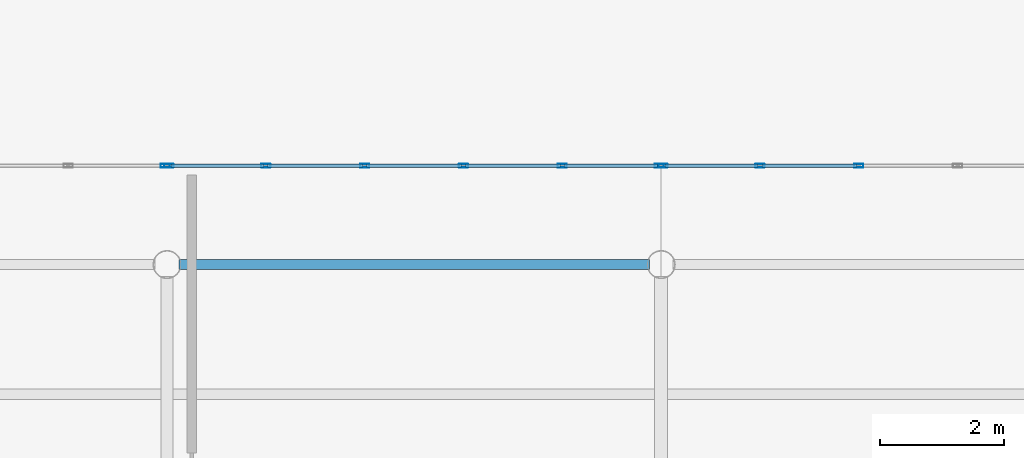
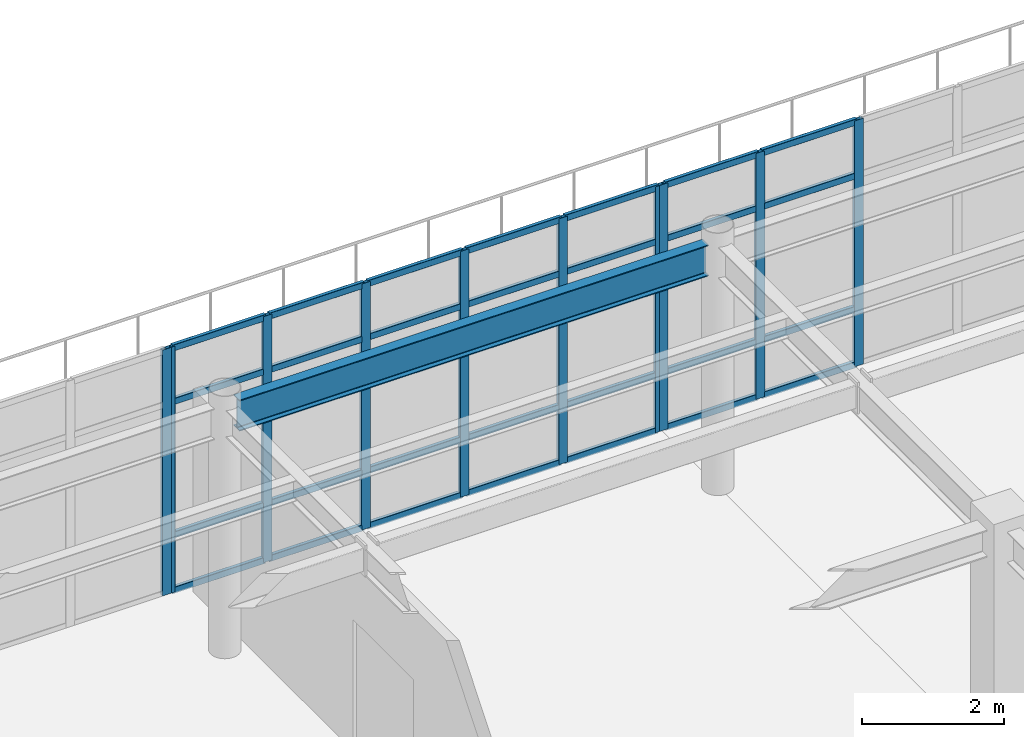
# One storey, part 25 of 93: 38 members, 1 beam, 3 elements without a shape of their own.
"""IFC4 building model written with IfcOpenShell, lengths in metres."""

from ifc_helpers import new_model, si_unit, direction, frame, origin, origin_2d, place, context, subcontext, project, spatial, hollow_rectangle, i_section, extrude, material, material_profile, profile_set, type_object, element, aggregate, save


model = new_model("IFC4")

# Units and contexts
model_context = context("Model", 3, precision=1e-05, world=origin(), true_north=direction((0.0, 1.0)))
body_context = subcontext(model_context, "Body", "Model", "MODEL_VIEW")
ifc_project = project(units=[si_unit("LENGTHUNIT", "METRE"), si_unit("AREAUNIT", "SQUARE_METRE"), si_unit("VOLUMEUNIT", "CUBIC_METRE"), si_unit("PLANEANGLEUNIT", "RADIAN"), si_unit("MASSUNIT", "GRAM", prefix="KILO")], contexts=[model_context])

# Site, building, storey
site_placement = place(None, origin())
site = spatial("IfcSite", under=ifc_project, at=site_placement, CompositionType="ELEMENT")
building_placement = place(site_placement, origin())
building = spatial("IfcBuilding", under=site, at=building_placement, Name="Solmirada Galleria", CompositionType="ELEMENT")
storey_placement = place(building_placement, frame((0.0, 0.0, 14.89990234375)))
storey = spatial("IfcBuildingStorey", under=building, at=storey_placement, Name="L03", CompositionType="ELEMENT", Elevation=14.89990234375)

# Beam
ifc_material_1 = material(Name="Steel S355 / ASTM A992 Grade 50", Category="steel")
ifc_material_profile_1 = material_profile(ifc_material_1, i_section(OverallWidth=0.1669921875, OverallDepth=0.534912109375, WebThickness=0.01025390625, FlangeThickness=0.0166015625, FilletRadius=0.013916015625, at=origin_2d()), Name="W21X57")
ifc_profile_set_1 = profile_set([ifc_material_profile_1], Name="Steel S355 / ASTM A992 Grade 50")
beam_type = type_object("IfcBeamType", Name="BM-GIRD-W21C", PredefinedType="BEAM", material=ifc_profile_set_1)
beam_placement = place(storey_placement, frame((104.19189453125, 32.0, 3.99267578125), z_axis=(1.0, 0.0, 0.0), x_axis=(0.0, 1.0, 0.0)))
element("IfcBeam", 1, at=beam_placement, inside=storey, type_object=beam_type, Name="Primary beam L04 X(104..112, 32)", PredefinedType="BEAM", context=body_context, shape_type="SweptSolid", body=[
    extrude(i_section(OverallWidth=0.1669921875, OverallDepth=0.534912109375, WebThickness=0.01025390625, FlangeThickness=0.0166015625, FilletRadius=0.013916015625, at=origin_2d()), origin(), (0.0, 0.0, 1.0), 7.6162109375),
])

# Curtain wall, member
ifc_material_2 = material(Name="Impact-resistant low-E double glazing", Category="glass")
curtain_wall_type = type_object("IfcCurtainWallType", Name="CW-FZ5-L03-B5-L080", PredefinedType="NOTDEFINED", material=ifc_material_2)
curtain_wall_1_placement = place(storey_placement, origin())
curtain_wall_1 = element("IfcCurtainWall", 2, at=curtain_wall_1_placement, inside=storey, type_object=curtain_wall_type, Name="Terrace and arcade storefront CW-L03-136", PredefinedType="NOTDEFINED")
ifc_material_3 = material(Name="Anodised aluminium framing", Category="aluminium")
ifc_material_profile_2 = material_profile(ifc_material_3, hollow_rectangle(XDim=0.06005859375, YDim=0.14990234375, WallThickness=0.00341796875, InnerFilletRadius=0.00341796875, OuterFilletRadius=0.007080078125, at=origin_2d()), Name="ALU-MULL-150X60")
ifc_profile_set_2 = profile_set([ifc_material_profile_2], Name="Anodised aluminium framing")
member_type_1 = type_object("IfcMemberType", Name="CW-MULL-150", PredefinedType="MULLION", material=ifc_profile_set_2)
member_1_placement = place(storey_placement, frame((103.969970703125, 33.60009765625, 0.0), z_axis=(0.0, 0.0, 1.0), x_axis=(0.0, 1.0, 0.0)))
member_1 = element("IfcMember", 3, at=member_1_placement, type_object=member_type_1, Name="CW29 mullion 6", PredefinedType="MULLION", context=body_context, shape_type="SweptSolid", body=[
    extrude(hollow_rectangle(XDim=0.06005859375, YDim=0.14990234375, WallThickness=0.00341796875, InnerFilletRadius=0.00341796875, OuterFilletRadius=0.007080078125, at=origin_2d()), origin(), (0.0, 0.0, 1.0), 4.22021484375),
])
aggregate(curtain_wall_1, [member_1])

# Curtain wall, members
curtain_wall_2_placement = place(storey_placement, origin())
curtain_wall_2 = element("IfcCurtainWall", 4, at=curtain_wall_2_placement, inside=storey, type_object=curtain_wall_type, Name="Terrace and arcade storefront CW-L03-137", PredefinedType="NOTDEFINED")
member_2_placement = place(storey_placement, frame((104.030029296875, 33.60009765625, 0.0), z_axis=(0.0, 0.0, 1.0), x_axis=(0.0, 1.0, 0.0)))
member_2 = element("IfcMember", 5, at=member_2_placement, type_object=member_type_1, Name="CW29 mullion 1", PredefinedType="MULLION", context=body_context, shape_type="SweptSolid", body=[
    extrude(hollow_rectangle(XDim=0.06005859375, YDim=0.14990234375, WallThickness=0.00341796875, InnerFilletRadius=0.00341796875, OuterFilletRadius=0.007080078125, at=origin_2d()), origin(), (0.0, 0.0, 1.0), 4.22021484375),
])
member_3_placement = place(storey_placement, frame((105.60009765625, 33.60009765625, 0.0), z_axis=(0.0, 0.0, 1.0), x_axis=(0.0, 1.0, 0.0)))
member_3 = element("IfcMember", 6, at=member_3_placement, type_object=member_type_1, Name="CW29 mullion 2", PredefinedType="MULLION", context=body_context, shape_type="SweptSolid", body=[
    extrude(hollow_rectangle(XDim=0.06005859375, YDim=0.14990234375, WallThickness=0.00341796875, InnerFilletRadius=0.00341796875, OuterFilletRadius=0.007080078125, at=origin_2d()), origin(), (0.0, 0.0, 1.0), 4.22021484375),
])
member_4_placement = place(storey_placement, frame((107.199951171875, 33.60009765625, 0.0), z_axis=(0.0, 0.0, 1.0), x_axis=(0.0, 1.0, 0.0)))
member_4 = element("IfcMember", 7, at=member_4_placement, type_object=member_type_1, Name="CW29 mullion 3", PredefinedType="MULLION", context=body_context, shape_type="SweptSolid", body=[
    extrude(hollow_rectangle(XDim=0.06005859375, YDim=0.14990234375, WallThickness=0.00341796875, InnerFilletRadius=0.00341796875, OuterFilletRadius=0.007080078125, at=origin_2d()), origin(), (0.0, 0.0, 1.0), 4.22021484375),
])
member_5_placement = place(storey_placement, frame((108.800048828125, 33.60009765625, 0.0), z_axis=(0.0, 0.0, 1.0), x_axis=(0.0, 1.0, 0.0)))
member_5 = element("IfcMember", 8, at=member_5_placement, type_object=member_type_1, Name="CW29 mullion 4", PredefinedType="MULLION", context=body_context, shape_type="SweptSolid", body=[
    extrude(hollow_rectangle(XDim=0.06005859375, YDim=0.14990234375, WallThickness=0.00341796875, InnerFilletRadius=0.00341796875, OuterFilletRadius=0.007080078125, at=origin_2d()), origin(), (0.0, 0.0, 1.0), 4.22021484375),
])
member_6_placement = place(storey_placement, frame((110.39990234375, 33.60009765625, 0.0), z_axis=(0.0, 0.0, 1.0), x_axis=(0.0, 1.0, 0.0)))
member_6 = element("IfcMember", 9, at=member_6_placement, type_object=member_type_1, Name="CW29 mullion 5", PredefinedType="MULLION", context=body_context, shape_type="SweptSolid", body=[
    extrude(hollow_rectangle(XDim=0.06005859375, YDim=0.14990234375, WallThickness=0.00341796875, InnerFilletRadius=0.00341796875, OuterFilletRadius=0.007080078125, at=origin_2d()), origin(), (0.0, 0.0, 1.0), 4.22021484375),
])
member_7_placement = place(storey_placement, frame((111.969970703125, 33.60009765625, 0.0), z_axis=(0.0, 0.0, 1.0), x_axis=(0.0, 1.0, 0.0)))
member_7 = element("IfcMember", 10, at=member_7_placement, type_object=member_type_1, Name="CW29 mullion 6", PredefinedType="MULLION", context=body_context, shape_type="SweptSolid", body=[
    extrude(hollow_rectangle(XDim=0.06005859375, YDim=0.14990234375, WallThickness=0.00341796875, InnerFilletRadius=0.00341796875, OuterFilletRadius=0.007080078125, at=origin_2d()), origin(), (0.0, 0.0, 1.0), 4.22021484375),
])

curtain_wall_3_placement = place(storey_placement, origin())
curtain_wall_3 = element("IfcCurtainWall", 11, at=curtain_wall_3_placement, inside=storey, type_object=curtain_wall_type, Name="Terrace and arcade storefront CW-L03-138", PredefinedType="NOTDEFINED")
member_8_placement = place(storey_placement, frame((112.030029296875, 33.60009765625, 0.0), z_axis=(0.0, 0.0, 1.0), x_axis=(0.0, 1.0, 0.0)))
member_8 = element("IfcMember", 12, at=member_8_placement, type_object=member_type_1, Name="CW29 mullion 1", PredefinedType="MULLION", context=body_context, shape_type="SweptSolid", body=[
    extrude(hollow_rectangle(XDim=0.06005859375, YDim=0.14990234375, WallThickness=0.00341796875, InnerFilletRadius=0.00341796875, OuterFilletRadius=0.007080078125, at=origin_2d()), origin(), (0.0, 0.0, 1.0), 4.22021484375),
])
member_9_placement = place(storey_placement, frame((113.60009765625, 33.60009765625, 0.0), z_axis=(0.0, 0.0, 1.0), x_axis=(0.0, 1.0, 0.0)))
member_9 = element("IfcMember", 13, at=member_9_placement, type_object=member_type_1, Name="CW29 mullion 2", PredefinedType="MULLION", context=body_context, shape_type="SweptSolid", body=[
    extrude(hollow_rectangle(XDim=0.06005859375, YDim=0.14990234375, WallThickness=0.00341796875, InnerFilletRadius=0.00341796875, OuterFilletRadius=0.007080078125, at=origin_2d()), origin(), (0.0, 0.0, 1.0), 4.22021484375),
])
member_10_placement = place(storey_placement, frame((115.199951171875, 33.60009765625, 0.0), z_axis=(0.0, 0.0, 1.0), x_axis=(0.0, 1.0, 0.0)))
member_10 = element("IfcMember", 14, at=member_10_placement, type_object=member_type_1, Name="CW29 mullion 3", PredefinedType="MULLION", context=body_context, shape_type="SweptSolid", body=[
    extrude(hollow_rectangle(XDim=0.06005859375, YDim=0.14990234375, WallThickness=0.00341796875, InnerFilletRadius=0.00341796875, OuterFilletRadius=0.007080078125, at=origin_2d()), origin(), (0.0, 0.0, 1.0), 4.22021484375),
])

# Member
ifc_material_profile_3 = material_profile(ifc_material_3, hollow_rectangle(XDim=0.06005859375, YDim=0.110107421875, WallThickness=0.003173828125, InnerFilletRadius=0.003173828125, OuterFilletRadius=0.00634765625, at=origin_2d()), Name="ALU-TRAN-110X60")
ifc_profile_set_3 = profile_set([ifc_material_profile_3], Name="Anodised aluminium framing")
member_type_2 = type_object("IfcMemberType", Name="CW-TRAN-110", PredefinedType="USERDEFINED", material=ifc_profile_set_3)
member_11_placement = place(storey_placement, frame((104.06005859375, 33.60009765625, 0.030029296875), z_axis=(1.0, 0.0, 0.0), x_axis=(0.0, 1.0, 0.0)))
member_11 = element("IfcMember", 15, at=member_11_placement, type_object=member_type_2, Name="CW29 transom 1.1", ObjectType="TRANSOM", PredefinedType="USERDEFINED", context=body_context, shape_type="SweptSolid", body=[
    extrude(hollow_rectangle(XDim=0.06005859375, YDim=0.110107421875, WallThickness=0.003173828125, InnerFilletRadius=0.003173828125, OuterFilletRadius=0.00634765625, at=origin_2d()), origin(), (0.0, 0.0, 1.0), 1.510009765625),
])

member_12_placement = place(storey_placement, frame((104.06005859375, 33.60009765625, 0.97998046875), z_axis=(1.0, 0.0, 0.0), x_axis=(0.0, 1.0, 0.0)))
member_12 = element("IfcMember", 16, at=member_12_placement, type_object=member_type_2, Name="CW29 transom 1.2", ObjectType="TRANSOM", PredefinedType="USERDEFINED", context=body_context, shape_type="SweptSolid", body=[
    extrude(hollow_rectangle(XDim=0.06005859375, YDim=0.110107421875, WallThickness=0.003173828125, InnerFilletRadius=0.003173828125, OuterFilletRadius=0.00634765625, at=origin_2d()), origin(), (0.0, 0.0, 1.0), 1.510009765625),
])

member_13_placement = place(storey_placement, frame((104.06005859375, 33.60009765625, 3.27001953125), z_axis=(1.0, 0.0, 0.0), x_axis=(0.0, 1.0, 0.0)))
member_13 = element("IfcMember", 17, at=member_13_placement, type_object=member_type_2, Name="CW29 transom 1.3", ObjectType="TRANSOM", PredefinedType="USERDEFINED", context=body_context, shape_type="SweptSolid", body=[
    extrude(hollow_rectangle(XDim=0.06005859375, YDim=0.110107421875, WallThickness=0.003173828125, InnerFilletRadius=0.003173828125, OuterFilletRadius=0.00634765625, at=origin_2d()), origin(), (0.0, 0.0, 1.0), 1.510009765625),
])

member_14_placement = place(storey_placement, frame((104.06005859375, 33.60009765625, 4.190185546875), z_axis=(1.0, 0.0, 0.0), x_axis=(0.0, 1.0, 0.0)))
member_14 = element("IfcMember", 18, at=member_14_placement, type_object=member_type_2, Name="CW29 transom 1.4", ObjectType="TRANSOM", PredefinedType="USERDEFINED", context=body_context, shape_type="SweptSolid", body=[
    extrude(hollow_rectangle(XDim=0.06005859375, YDim=0.110107421875, WallThickness=0.003173828125, InnerFilletRadius=0.003173828125, OuterFilletRadius=0.00634765625, at=origin_2d()), origin(), (0.0, 0.0, 1.0), 1.510009765625),
])

member_15_placement = place(storey_placement, frame((105.6298828125, 33.60009765625, 0.030029296875), z_axis=(1.0, 0.0, 0.0), x_axis=(0.0, 1.0, 0.0)))
member_15 = element("IfcMember", 19, at=member_15_placement, type_object=member_type_2, Name="CW29 transom 2.1", ObjectType="TRANSOM", PredefinedType="USERDEFINED", context=body_context, shape_type="SweptSolid", body=[
    extrude(hollow_rectangle(XDim=0.06005859375, YDim=0.110107421875, WallThickness=0.003173828125, InnerFilletRadius=0.003173828125, OuterFilletRadius=0.00634765625, at=origin_2d()), origin(), (0.0, 0.0, 1.0), 1.5400390625),
])

member_16_placement = place(storey_placement, frame((105.6298828125, 33.60009765625, 0.97998046875), z_axis=(1.0, 0.0, 0.0), x_axis=(0.0, 1.0, 0.0)))
member_16 = element("IfcMember", 20, at=member_16_placement, type_object=member_type_2, Name="CW29 transom 2.2", ObjectType="TRANSOM", PredefinedType="USERDEFINED", context=body_context, shape_type="SweptSolid", body=[
    extrude(hollow_rectangle(XDim=0.06005859375, YDim=0.110107421875, WallThickness=0.003173828125, InnerFilletRadius=0.003173828125, OuterFilletRadius=0.00634765625, at=origin_2d()), origin(), (0.0, 0.0, 1.0), 1.5400390625),
])

member_17_placement = place(storey_placement, frame((105.6298828125, 33.60009765625, 3.27001953125), z_axis=(1.0, 0.0, 0.0), x_axis=(0.0, 1.0, 0.0)))
member_17 = element("IfcMember", 21, at=member_17_placement, type_object=member_type_2, Name="CW29 transom 2.3", ObjectType="TRANSOM", PredefinedType="USERDEFINED", context=body_context, shape_type="SweptSolid", body=[
    extrude(hollow_rectangle(XDim=0.06005859375, YDim=0.110107421875, WallThickness=0.003173828125, InnerFilletRadius=0.003173828125, OuterFilletRadius=0.00634765625, at=origin_2d()), origin(), (0.0, 0.0, 1.0), 1.5400390625),
])

member_18_placement = place(storey_placement, frame((105.6298828125, 33.60009765625, 4.190185546875), z_axis=(1.0, 0.0, 0.0), x_axis=(0.0, 1.0, 0.0)))
member_18 = element("IfcMember", 22, at=member_18_placement, type_object=member_type_2, Name="CW29 transom 2.4", ObjectType="TRANSOM", PredefinedType="USERDEFINED", context=body_context, shape_type="SweptSolid", body=[
    extrude(hollow_rectangle(XDim=0.06005859375, YDim=0.110107421875, WallThickness=0.003173828125, InnerFilletRadius=0.003173828125, OuterFilletRadius=0.00634765625, at=origin_2d()), origin(), (0.0, 0.0, 1.0), 1.5400390625),
])

member_19_placement = place(storey_placement, frame((107.22998046875, 33.60009765625, 0.030029296875), z_axis=(1.0, 0.0, 0.0), x_axis=(0.0, 1.0, 0.0)))
member_19 = element("IfcMember", 23, at=member_19_placement, type_object=member_type_2, Name="CW29 transom 3.1", ObjectType="TRANSOM", PredefinedType="USERDEFINED", context=body_context, shape_type="SweptSolid", body=[
    extrude(hollow_rectangle(XDim=0.06005859375, YDim=0.110107421875, WallThickness=0.003173828125, InnerFilletRadius=0.003173828125, OuterFilletRadius=0.00634765625, at=origin_2d()), origin(), (0.0, 0.0, 1.0), 1.5400390625),
])

member_20_placement = place(storey_placement, frame((107.22998046875, 33.60009765625, 0.97998046875), z_axis=(1.0, 0.0, 0.0), x_axis=(0.0, 1.0, 0.0)))
member_20 = element("IfcMember", 24, at=member_20_placement, type_object=member_type_2, Name="CW29 transom 3.2", ObjectType="TRANSOM", PredefinedType="USERDEFINED", context=body_context, shape_type="SweptSolid", body=[
    extrude(hollow_rectangle(XDim=0.06005859375, YDim=0.110107421875, WallThickness=0.003173828125, InnerFilletRadius=0.003173828125, OuterFilletRadius=0.00634765625, at=origin_2d()), origin(), (0.0, 0.0, 1.0), 1.5400390625),
])

member_21_placement = place(storey_placement, frame((107.22998046875, 33.60009765625, 3.27001953125), z_axis=(1.0, 0.0, 0.0), x_axis=(0.0, 1.0, 0.0)))
member_21 = element("IfcMember", 25, at=member_21_placement, type_object=member_type_2, Name="CW29 transom 3.3", ObjectType="TRANSOM", PredefinedType="USERDEFINED", context=body_context, shape_type="SweptSolid", body=[
    extrude(hollow_rectangle(XDim=0.06005859375, YDim=0.110107421875, WallThickness=0.003173828125, InnerFilletRadius=0.003173828125, OuterFilletRadius=0.00634765625, at=origin_2d()), origin(), (0.0, 0.0, 1.0), 1.5400390625),
])

member_22_placement = place(storey_placement, frame((107.22998046875, 33.60009765625, 4.190185546875), z_axis=(1.0, 0.0, 0.0), x_axis=(0.0, 1.0, 0.0)))
member_22 = element("IfcMember", 26, at=member_22_placement, type_object=member_type_2, Name="CW29 transom 3.4", ObjectType="TRANSOM", PredefinedType="USERDEFINED", context=body_context, shape_type="SweptSolid", body=[
    extrude(hollow_rectangle(XDim=0.06005859375, YDim=0.110107421875, WallThickness=0.003173828125, InnerFilletRadius=0.003173828125, OuterFilletRadius=0.00634765625, at=origin_2d()), origin(), (0.0, 0.0, 1.0), 1.5400390625),
])

member_23_placement = place(storey_placement, frame((108.830078125, 33.60009765625, 0.030029296875), z_axis=(1.0, 0.0, 0.0), x_axis=(0.0, 1.0, 0.0)))
member_23 = element("IfcMember", 27, at=member_23_placement, type_object=member_type_2, Name="CW29 transom 4.1", ObjectType="TRANSOM", PredefinedType="USERDEFINED", context=body_context, shape_type="SweptSolid", body=[
    extrude(hollow_rectangle(XDim=0.06005859375, YDim=0.110107421875, WallThickness=0.003173828125, InnerFilletRadius=0.003173828125, OuterFilletRadius=0.00634765625, at=origin_2d()), origin(), (0.0, 0.0, 1.0), 1.5400390625),
])

member_24_placement = place(storey_placement, frame((108.830078125, 33.60009765625, 0.97998046875), z_axis=(1.0, 0.0, 0.0), x_axis=(0.0, 1.0, 0.0)))
member_24 = element("IfcMember", 28, at=member_24_placement, type_object=member_type_2, Name="CW29 transom 4.2", ObjectType="TRANSOM", PredefinedType="USERDEFINED", context=body_context, shape_type="SweptSolid", body=[
    extrude(hollow_rectangle(XDim=0.06005859375, YDim=0.110107421875, WallThickness=0.003173828125, InnerFilletRadius=0.003173828125, OuterFilletRadius=0.00634765625, at=origin_2d()), origin(), (0.0, 0.0, 1.0), 1.5400390625),
])

member_25_placement = place(storey_placement, frame((108.830078125, 33.60009765625, 3.27001953125), z_axis=(1.0, 0.0, 0.0), x_axis=(0.0, 1.0, 0.0)))
member_25 = element("IfcMember", 29, at=member_25_placement, type_object=member_type_2, Name="CW29 transom 4.3", ObjectType="TRANSOM", PredefinedType="USERDEFINED", context=body_context, shape_type="SweptSolid", body=[
    extrude(hollow_rectangle(XDim=0.06005859375, YDim=0.110107421875, WallThickness=0.003173828125, InnerFilletRadius=0.003173828125, OuterFilletRadius=0.00634765625, at=origin_2d()), origin(), (0.0, 0.0, 1.0), 1.5400390625),
])

member_26_placement = place(storey_placement, frame((108.830078125, 33.60009765625, 4.190185546875), z_axis=(1.0, 0.0, 0.0), x_axis=(0.0, 1.0, 0.0)))
member_26 = element("IfcMember", 30, at=member_26_placement, type_object=member_type_2, Name="CW29 transom 4.4", ObjectType="TRANSOM", PredefinedType="USERDEFINED", context=body_context, shape_type="SweptSolid", body=[
    extrude(hollow_rectangle(XDim=0.06005859375, YDim=0.110107421875, WallThickness=0.003173828125, InnerFilletRadius=0.003173828125, OuterFilletRadius=0.00634765625, at=origin_2d()), origin(), (0.0, 0.0, 1.0), 1.5400390625),
])

member_27_placement = place(storey_placement, frame((110.429931640625, 33.60009765625, 0.030029296875), z_axis=(1.0, 0.0, 0.0), x_axis=(0.0, 1.0, 0.0)))
member_27 = element("IfcMember", 31, at=member_27_placement, type_object=member_type_2, Name="CW29 transom 5.1", ObjectType="TRANSOM", PredefinedType="USERDEFINED", context=body_context, shape_type="SweptSolid", body=[
    extrude(hollow_rectangle(XDim=0.06005859375, YDim=0.110107421875, WallThickness=0.003173828125, InnerFilletRadius=0.003173828125, OuterFilletRadius=0.00634765625, at=origin_2d()), origin(), (0.0, 0.0, 1.0), 1.510009765625),
])

member_28_placement = place(storey_placement, frame((110.429931640625, 33.60009765625, 0.97998046875), z_axis=(1.0, 0.0, 0.0), x_axis=(0.0, 1.0, 0.0)))
member_28 = element("IfcMember", 32, at=member_28_placement, type_object=member_type_2, Name="CW29 transom 5.2", ObjectType="TRANSOM", PredefinedType="USERDEFINED", context=body_context, shape_type="SweptSolid", body=[
    extrude(hollow_rectangle(XDim=0.06005859375, YDim=0.110107421875, WallThickness=0.003173828125, InnerFilletRadius=0.003173828125, OuterFilletRadius=0.00634765625, at=origin_2d()), origin(), (0.0, 0.0, 1.0), 1.510009765625),
])

member_29_placement = place(storey_placement, frame((110.429931640625, 33.60009765625, 3.27001953125), z_axis=(1.0, 0.0, 0.0), x_axis=(0.0, 1.0, 0.0)))
member_29 = element("IfcMember", 33, at=member_29_placement, type_object=member_type_2, Name="CW29 transom 5.3", ObjectType="TRANSOM", PredefinedType="USERDEFINED", context=body_context, shape_type="SweptSolid", body=[
    extrude(hollow_rectangle(XDim=0.06005859375, YDim=0.110107421875, WallThickness=0.003173828125, InnerFilletRadius=0.003173828125, OuterFilletRadius=0.00634765625, at=origin_2d()), origin(), (0.0, 0.0, 1.0), 1.510009765625),
])

member_30_placement = place(storey_placement, frame((110.429931640625, 33.60009765625, 4.190185546875), z_axis=(1.0, 0.0, 0.0), x_axis=(0.0, 1.0, 0.0)))
member_30 = element("IfcMember", 34, at=member_30_placement, type_object=member_type_2, Name="CW29 transom 5.4", ObjectType="TRANSOM", PredefinedType="USERDEFINED", context=body_context, shape_type="SweptSolid", body=[
    extrude(hollow_rectangle(XDim=0.06005859375, YDim=0.110107421875, WallThickness=0.003173828125, InnerFilletRadius=0.003173828125, OuterFilletRadius=0.00634765625, at=origin_2d()), origin(), (0.0, 0.0, 1.0), 1.510009765625),
])

aggregate(curtain_wall_2, [member_2, member_3, member_4, member_5, member_6, member_7, member_11, member_12, member_13, member_14, member_15, member_16, member_17, member_18, member_19, member_20, member_21, member_22, member_23, member_24, member_25, member_26, member_27, member_28, member_29, member_30])

member_31_placement = place(storey_placement, frame((112.06005859375, 33.60009765625, 0.030029296875), z_axis=(1.0, 0.0, 0.0), x_axis=(0.0, 1.0, 0.0)))
member_31 = element("IfcMember", 35, at=member_31_placement, type_object=member_type_2, Name="CW29 transom 1.1", ObjectType="TRANSOM", PredefinedType="USERDEFINED", context=body_context, shape_type="SweptSolid", body=[
    extrude(hollow_rectangle(XDim=0.06005859375, YDim=0.110107421875, WallThickness=0.003173828125, InnerFilletRadius=0.003173828125, OuterFilletRadius=0.00634765625, at=origin_2d()), origin(), (0.0, 0.0, 1.0), 1.510009765625),
])

member_32_placement = place(storey_placement, frame((112.06005859375, 33.60009765625, 0.97998046875), z_axis=(1.0, 0.0, 0.0), x_axis=(0.0, 1.0, 0.0)))
member_32 = element("IfcMember", 36, at=member_32_placement, type_object=member_type_2, Name="CW29 transom 1.2", ObjectType="TRANSOM", PredefinedType="USERDEFINED", context=body_context, shape_type="SweptSolid", body=[
    extrude(hollow_rectangle(XDim=0.06005859375, YDim=0.110107421875, WallThickness=0.003173828125, InnerFilletRadius=0.003173828125, OuterFilletRadius=0.00634765625, at=origin_2d()), origin(), (0.0, 0.0, 1.0), 1.510009765625),
])

member_33_placement = place(storey_placement, frame((112.06005859375, 33.60009765625, 3.27001953125), z_axis=(1.0, 0.0, 0.0), x_axis=(0.0, 1.0, 0.0)))
member_33 = element("IfcMember", 37, at=member_33_placement, type_object=member_type_2, Name="CW29 transom 1.3", ObjectType="TRANSOM", PredefinedType="USERDEFINED", context=body_context, shape_type="SweptSolid", body=[
    extrude(hollow_rectangle(XDim=0.06005859375, YDim=0.110107421875, WallThickness=0.003173828125, InnerFilletRadius=0.003173828125, OuterFilletRadius=0.00634765625, at=origin_2d()), origin(), (0.0, 0.0, 1.0), 1.510009765625),
])

member_34_placement = place(storey_placement, frame((112.06005859375, 33.60009765625, 4.190185546875), z_axis=(1.0, 0.0, 0.0), x_axis=(0.0, 1.0, 0.0)))
member_34 = element("IfcMember", 38, at=member_34_placement, type_object=member_type_2, Name="CW29 transom 1.4", ObjectType="TRANSOM", PredefinedType="USERDEFINED", context=body_context, shape_type="SweptSolid", body=[
    extrude(hollow_rectangle(XDim=0.06005859375, YDim=0.110107421875, WallThickness=0.003173828125, InnerFilletRadius=0.003173828125, OuterFilletRadius=0.00634765625, at=origin_2d()), origin(), (0.0, 0.0, 1.0), 1.510009765625),
])

member_35_placement = place(storey_placement, frame((113.6298828125, 33.60009765625, 0.030029296875), z_axis=(1.0, 0.0, 0.0), x_axis=(0.0, 1.0, 0.0)))
member_35 = element("IfcMember", 39, at=member_35_placement, type_object=member_type_2, Name="CW29 transom 2.1", ObjectType="TRANSOM", PredefinedType="USERDEFINED", context=body_context, shape_type="SweptSolid", body=[
    extrude(hollow_rectangle(XDim=0.06005859375, YDim=0.110107421875, WallThickness=0.003173828125, InnerFilletRadius=0.003173828125, OuterFilletRadius=0.00634765625, at=origin_2d()), origin(), (0.0, 0.0, 1.0), 1.5400390625),
])

member_36_placement = place(storey_placement, frame((113.6298828125, 33.60009765625, 0.97998046875), z_axis=(1.0, 0.0, 0.0), x_axis=(0.0, 1.0, 0.0)))
member_36 = element("IfcMember", 40, at=member_36_placement, type_object=member_type_2, Name="CW29 transom 2.2", ObjectType="TRANSOM", PredefinedType="USERDEFINED", context=body_context, shape_type="SweptSolid", body=[
    extrude(hollow_rectangle(XDim=0.06005859375, YDim=0.110107421875, WallThickness=0.003173828125, InnerFilletRadius=0.003173828125, OuterFilletRadius=0.00634765625, at=origin_2d()), origin(), (0.0, 0.0, 1.0), 1.5400390625),
])

member_37_placement = place(storey_placement, frame((113.6298828125, 33.60009765625, 3.27001953125), z_axis=(1.0, 0.0, 0.0), x_axis=(0.0, 1.0, 0.0)))
member_37 = element("IfcMember", 41, at=member_37_placement, type_object=member_type_2, Name="CW29 transom 2.3", ObjectType="TRANSOM", PredefinedType="USERDEFINED", context=body_context, shape_type="SweptSolid", body=[
    extrude(hollow_rectangle(XDim=0.06005859375, YDim=0.110107421875, WallThickness=0.003173828125, InnerFilletRadius=0.003173828125, OuterFilletRadius=0.00634765625, at=origin_2d()), origin(), (0.0, 0.0, 1.0), 1.5400390625),
])

member_38_placement = place(storey_placement, frame((113.6298828125, 33.60009765625, 4.190185546875), z_axis=(1.0, 0.0, 0.0), x_axis=(0.0, 1.0, 0.0)))
member_38 = element("IfcMember", 42, at=member_38_placement, type_object=member_type_2, Name="CW29 transom 2.4", ObjectType="TRANSOM", PredefinedType="USERDEFINED", context=body_context, shape_type="SweptSolid", body=[
    extrude(hollow_rectangle(XDim=0.06005859375, YDim=0.110107421875, WallThickness=0.003173828125, InnerFilletRadius=0.003173828125, OuterFilletRadius=0.00634765625, at=origin_2d()), origin(), (0.0, 0.0, 1.0), 1.5400390625),
])

aggregate(curtain_wall_3, [member_8, member_9, member_10, member_31, member_32, member_33, member_34, member_35, member_36, member_37, member_38])

save(model, "model.ifc")
